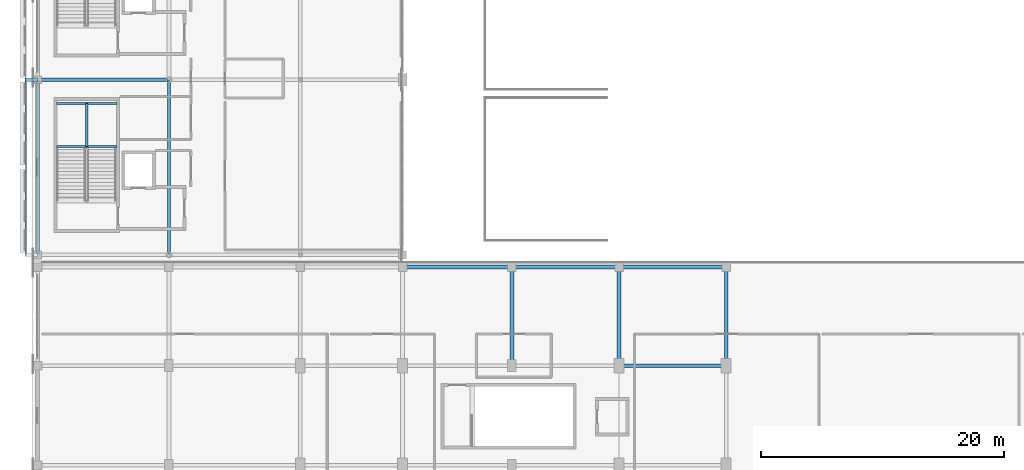
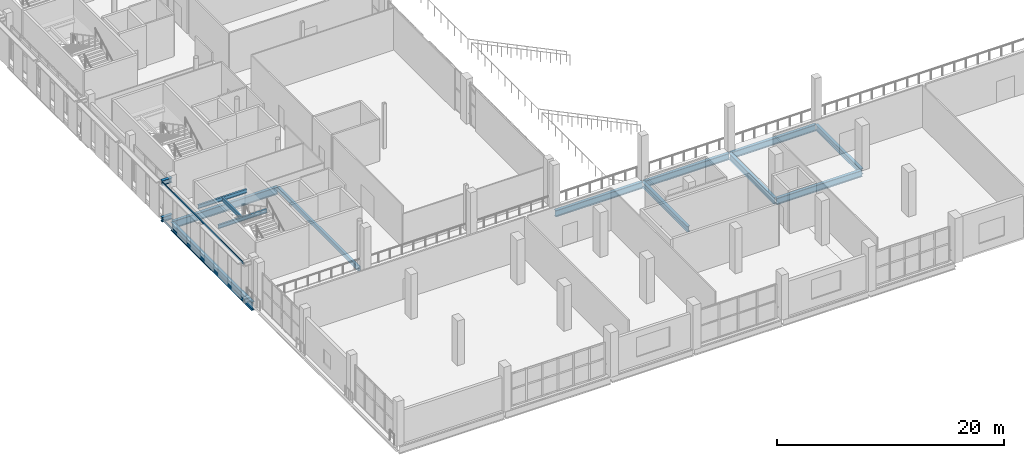
# One storey, part 16 of 104: 15 beams, 2 members.
"""IFC4 building model written with IfcOpenShell, lengths in metres."""

from ifc_helpers import new_model, si_unit, direction, frame, origin, origin_2d, place, context, subcontext, project, spatial, hollow_rectangle, i_section, extrude, material, material_profile, profile_set, type_object, element, save


model = new_model("IFC4")

# Units and contexts
model_context = context("Model", 3, precision=1e-05, world=origin(), true_north=direction((0.0, 1.0)))
body_context = subcontext(model_context, "Body", "Model", "MODEL_VIEW")
ifc_project = project(units=[si_unit("LENGTHUNIT", "METRE"), si_unit("AREAUNIT", "SQUARE_METRE"), si_unit("VOLUMEUNIT", "CUBIC_METRE"), si_unit("PLANEANGLEUNIT", "RADIAN"), si_unit("MASSUNIT", "GRAM", prefix="KILO")], contexts=[model_context])

# Site, building, storey
site_placement = place(None, origin())
site = spatial("IfcSite", under=ifc_project, at=site_placement, CompositionType="ELEMENT")
building_placement = place(site_placement, origin())
building = spatial("IfcBuilding", under=site, at=building_placement, Name="Koshinbarg Plaza Stadium", CompositionType="ELEMENT")
storey_placement = place(building_placement, frame((0.0, 0.0, 19.800048828125)))
storey = spatial("IfcBuildingStorey", under=building, at=storey_placement, Name="L04", CompositionType="ELEMENT", Elevation=19.800048828125)

# Beams
ifc_material = material(Name="Steel S355", Category="steel")
ifc_material_profile_1 = material_profile(ifc_material, i_section(OverallWidth=0.300048828125, OverallDepth=0.5, WebThickness=0.014404296875, FlangeThickness=0.028076171875, at=origin_2d()), Name="HEB 500")
ifc_profile_set_1 = profile_set([ifc_material_profile_1], Name="Steel S355")
beam_type_1 = type_object("IfcBeamType", Name="BM-CANOPY-CANT", PredefinedType="BEAM", material=ifc_profile_set_1)
for number, where, z_axis, x_axis, name in (
    (1, (24.60009765625, 39.89990234375, 0.25), (-1.0, 0.0, 0.0), (0.0, -1.0, 0.0), "Outer screen cantilever outrigger W-L04-Y02"),
    (2, (24.60009765625, 39.89990234375, 4.179931640625), (-1.0, 0.0, 0.0), (0.0, -1.0, 0.0), "Outer screen cantilever outrigger W-L04-Y02"),
):
    element("IfcBeam", number, at=place(storey_placement, frame(where, z_axis=z_axis, x_axis=x_axis)), inside=storey, type_object=beam_type_1, Name=name, PredefinedType="BEAM", context=body_context, shape_type="SweptSolid", body=[
        extrude(i_section(OverallWidth=0.300048828125, OverallDepth=0.5, WebThickness=0.014404296875, FlangeThickness=0.028076171875, at=origin_2d()), origin(), (0.0, 0.0, 1.0), 1.030029296875),
    ])
ifc_material_profile_2 = material_profile(ifc_material, i_section(OverallWidth=0.179931640625, OverallDepth=0.39990234375, WebThickness=0.008544921875, FlangeThickness=0.013427734375, at=origin_2d()), Name="IPE 400")
ifc_profile_set_2 = profile_set([ifc_material_profile_2], Name="Steel S355")
beam_type_2 = type_object("IfcBeamType", Name="BM-SBM-01", PredefinedType="BEAM", material=ifc_profile_set_2)
for number, where, z_axis, x_axis, name in (
    (3, (26.14990234375, 34.409912109375, 1.8798828125), (1.0, 0.0, 0.0), (0.0, 1.0, 0.0), "L04 Protected Exit Stair C01 landing trimmer beam 1"),
    (4, (26.14990234375, 37.949951171875, 1.8798828125), (1.0, 0.0, 0.0), (0.0, 1.0, 0.0), "L04 Protected Exit Stair C01 landing trimmer beam 2"),
):
    element("IfcBeam", number, at=place(storey_placement, frame(where, z_axis=z_axis, x_axis=x_axis)), inside=storey, type_object=beam_type_2, Name=name, PredefinedType="BEAM", context=body_context, shape_type="SweptSolid", body=[
        extrude(i_section(OverallWidth=0.179931640625, OverallDepth=0.39990234375, WebThickness=0.008544921875, FlangeThickness=0.013427734375, at=origin_2d()), origin(), (0.0, 0.0, 1.0), 4.97021484375),
    ])
beam_1_placement = place(storey_placement, frame((28.635009765625, 34.409912109375, 1.8798828125), z_axis=(0.0, 1.0, 0.0), x_axis=(-1.0, 0.0, 0.0)))
element("IfcBeam", 5, at=beam_1_placement, inside=storey, type_object=beam_type_2, Name="L04 Protected Exit Stair C01 landing trimmer beam 3", PredefinedType="BEAM", context=body_context, shape_type="SweptSolid", body=[
    extrude(i_section(OverallWidth=0.179931640625, OverallDepth=0.39990234375, WebThickness=0.008544921875, FlangeThickness=0.013427734375, at=origin_2d()), origin(), (0.0, 0.0, 1.0), 3.5400390625),
])
ifc_material_profile_3 = material_profile(ifc_material, i_section(OverallWidth=0.300048828125, OverallDepth=0.60009765625, WebThickness=0.015380859375, FlangeThickness=0.030029296875, at=origin_2d()), Name="HEB 600")
ifc_profile_set_3 = profile_set([ifc_material_profile_3], Name="Steel S355")
beam_type_3 = type_object("IfcBeamType", Name="BM-SGIR-02", PredefinedType="USERDEFINED", material=ifc_profile_set_3)
for number, where, z_axis, x_axis, name in (
    (6, (63.60009765625, 16.4599609375, -0.60009765625), (0.0, 1.0, 0.0), (-1.0, 0.0, 0.0), "L04 Y girder 9/C-D"),
    (7, (81.199951171875, 16.4599609375, -0.60009765625), (0.0, 1.0, 0.0), (-1.0, 0.0, 0.0), "L04 Y girder 11/C-D"),
):
    element("IfcBeam", number, at=place(storey_placement, frame(where, z_axis=z_axis, x_axis=x_axis)), inside=storey, type_object=beam_type_3, Name=name, ObjectType="GIRDER", PredefinedType="USERDEFINED", context=body_context, shape_type="SweptSolid", body=[
        extrude(i_section(OverallWidth=0.300048828125, OverallDepth=0.60009765625, WebThickness=0.015380859375, FlangeThickness=0.030029296875, at=origin_2d()), origin(), (0.0, 0.0, 1.0), 7.97998046875),
    ])
ifc_material_profile_4 = material_profile(ifc_material, i_section(OverallWidth=0.300048828125, OverallDepth=0.699951171875, WebThickness=0.01708984375, FlangeThickness=0.031982421875, at=origin_2d()), Name="HEB 700")
ifc_profile_set_4 = profile_set([ifc_material_profile_4], Name="Steel S355")
beam_type_4 = type_object("IfcBeamType", Name="BM-SGIR-03", PredefinedType="USERDEFINED", material=ifc_profile_set_4)
beam_2_placement = place(storey_placement, frame((72.4599609375, 16.39990234375, -0.650146484375), z_axis=(1.0, 0.0, 0.0), x_axis=(0.0, 1.0, 0.0)))
element("IfcBeam", 8, at=beam_2_placement, inside=storey, type_object=beam_type_4, Name="L04 X girder C/10-11", ObjectType="GIRDER", PredefinedType="USERDEFINED", context=body_context, shape_type="SweptSolid", body=[
    extrude(i_section(OverallWidth=0.300048828125, OverallDepth=0.699951171875, WebThickness=0.01708984375, FlangeThickness=0.031982421875, at=origin_2d()), origin(), (0.0, 0.0, 1.0), 8.679931640625),
])
beam_3_placement = place(storey_placement, frame((54.659912109375, 24.5, -0.650146484375), z_axis=(1.0, 0.0, 0.0), x_axis=(0.0, 1.0, 0.0)))
element("IfcBeam", 9, at=beam_3_placement, inside=storey, type_object=beam_type_4, Name="L04 X girder D/8-9", ObjectType="GIRDER", PredefinedType="USERDEFINED", context=body_context, shape_type="SweptSolid", body=[
    extrude(i_section(OverallWidth=0.300048828125, OverallDepth=0.699951171875, WebThickness=0.01708984375, FlangeThickness=0.031982421875, at=origin_2d()), origin(), (0.0, 0.0, 1.0), 8.880126953125),
])
beam_4_placement = place(storey_placement, frame((63.659912109375, 24.5, -0.650146484375), z_axis=(1.0, 0.0, 0.0), x_axis=(0.0, 1.0, 0.0)))
element("IfcBeam", 10, at=beam_4_placement, inside=storey, type_object=beam_type_4, Name="L04 X girder D/9-10", ObjectType="GIRDER", PredefinedType="USERDEFINED", context=body_context, shape_type="SweptSolid", body=[
    extrude(i_section(OverallWidth=0.300048828125, OverallDepth=0.699951171875, WebThickness=0.01708984375, FlangeThickness=0.031982421875, at=origin_2d()), origin(), (0.0, 0.0, 1.0), 8.68017578125),
])
beam_5_placement = place(storey_placement, frame((72.4599609375, 24.5, -0.650146484375), z_axis=(1.0, 0.0, 0.0), x_axis=(0.0, 1.0, 0.0)))
element("IfcBeam", 11, at=beam_5_placement, inside=storey, type_object=beam_type_4, Name="L04 X girder D/10-11", ObjectType="GIRDER", PredefinedType="USERDEFINED", context=body_context, shape_type="SweptSolid", body=[
    extrude(i_section(OverallWidth=0.300048828125, OverallDepth=0.699951171875, WebThickness=0.01708984375, FlangeThickness=0.031982421875, at=origin_2d()), origin(), (0.0, 0.0, 1.0), 8.679931640625),
])
beam_6_placement = place(storey_placement, frame((72.39990234375, 16.4599609375, -0.650146484375), z_axis=(0.0, 1.0, 0.0), x_axis=(-1.0, 0.0, 0.0)))
element("IfcBeam", 12, at=beam_6_placement, inside=storey, type_object=beam_type_4, Name="L04 Y girder 10/C-D", ObjectType="GIRDER", PredefinedType="USERDEFINED", context=body_context, shape_type="SweptSolid", body=[
    extrude(i_section(OverallWidth=0.300048828125, OverallDepth=0.699951171875, WebThickness=0.01708984375, FlangeThickness=0.031982421875, at=origin_2d()), origin(), (0.0, 0.0, 1.0), 7.97998046875),
])
ifc_material_profile_5 = material_profile(ifc_material, i_section(OverallWidth=0.300048828125, OverallDepth=0.800048828125, WebThickness=0.017578125, FlangeThickness=0.032958984375, at=origin_2d()), Name="HEB 800")
ifc_profile_set_5 = profile_set([ifc_material_profile_5], Name="Steel S355")
beam_type_5 = type_object("IfcBeamType", Name="BM-SGIR-04", PredefinedType="USERDEFINED", material=ifc_profile_set_5)
beam_7_placement = place(storey_placement, frame((24.659912109375, 39.89990234375, -0.699951171875), z_axis=(1.0, 0.0, 0.0), x_axis=(0.0, 1.0, 0.0)))
element("IfcBeam", 13, at=beam_7_placement, inside=storey, type_object=beam_type_5, Name="L04 X girder F/5-6", ObjectType="GIRDER", PredefinedType="USERDEFINED", context=body_context, shape_type="SweptSolid", body=[
    extrude(i_section(OverallWidth=0.300048828125, OverallDepth=0.800048828125, WebThickness=0.017578125, FlangeThickness=0.032958984375, at=origin_2d()), origin(), (0.0, 0.0, 1.0), 10.68017578125),
])
ifc_material_profile_6 = material_profile(ifc_material, i_section(OverallWidth=0.300048828125, OverallDepth=0.89990234375, WebThickness=0.0185546875, FlangeThickness=0.034912109375, at=origin_2d()), Name="HEB 900")
ifc_profile_set_6 = profile_set([ifc_material_profile_6], Name="Steel S355")
beam_type_6 = type_object("IfcBeamType", Name="BM-SGIR-05", PredefinedType="USERDEFINED", material=ifc_profile_set_6)
beam_8_placement = place(storey_placement, frame((24.60009765625, 25.56005859375, -0.75), z_axis=(0.0, 1.0, 0.0), x_axis=(-1.0, 0.0, 0.0)))
element("IfcBeam", 14, at=beam_8_placement, inside=storey, type_object=beam_type_6, Name="L04 Y girder 5/E-F", ObjectType="GIRDER", PredefinedType="USERDEFINED", context=body_context, shape_type="SweptSolid", body=[
    extrude(i_section(OverallWidth=0.300048828125, OverallDepth=0.89990234375, WebThickness=0.0185546875, FlangeThickness=0.034912109375, at=origin_2d()), origin(), (0.0, 0.0, 1.0), 14.280029296875),
])
ifc_material_profile_7 = material_profile(ifc_material, hollow_rectangle(XDim=0.25, YDim=0.449951171875, WallThickness=0.01611328125, at=origin_2d()), Name="RHS 450x250x16")
ifc_profile_set_7 = profile_set([ifc_material_profile_7], Name="Steel S355")
beam_type_7 = type_object("IfcBeamType", Name="BM-SGIR-06", PredefinedType="USERDEFINED", material=ifc_profile_set_7)
beam_9_placement = place(storey_placement, frame((35.39990234375, 25.56005859375, -0.525146484375), z_axis=(0.0, 1.0, 0.0), x_axis=(-1.0, 0.0, 0.0)))
element("IfcBeam", 15, at=beam_9_placement, inside=storey, type_object=beam_type_7, Name="L04 Y girder 6/E-F", ObjectType="GIRDER", PredefinedType="USERDEFINED", context=body_context, shape_type="SweptSolid", body=[
    extrude(hollow_rectangle(XDim=0.25, YDim=0.449951171875, WallThickness=0.01611328125, at=origin_2d()), origin(), (0.0, 0.0, 1.0), 14.280029296875),
])

# Members
ifc_material_profile_8 = material_profile(ifc_material, hollow_rectangle(XDim=0.10009765625, YDim=0.199951171875, WallThickness=0.008056640625, at=origin_2d()), Name="RHS 200x100x8")
ifc_profile_set_8 = profile_set([ifc_material_profile_8], Name="Steel S355")
member_type = type_object("IfcMemberType", Name="MB-PURL-03", PredefinedType="PURLIN", material=ifc_profile_set_8)
for number, where, z_axis, x_axis, name in (
    (16, (23.64990234375, 25.5, 0.25), (0.0, 1.0, 0.0), (-1.0, 0.0, 0.0), "L04 outer screen subframe rail W-1-BOT"),
    (17, (23.64990234375, 25.5, 4.179931640625), (0.0, 1.0, 0.0), (-1.0, 0.0, 0.0), "L04 outer screen subframe rail W-1-TOP"),
):
    element("IfcMember", number, at=place(storey_placement, frame(where, z_axis=z_axis, x_axis=x_axis)), inside=storey, type_object=member_type, Name=name, PredefinedType="PURLIN", context=body_context, shape_type="SweptSolid", body=[
        extrude(hollow_rectangle(XDim=0.10009765625, YDim=0.199951171875, WallThickness=0.008056640625, at=origin_2d()), origin(), (0.0, 0.0, 1.0), 14.39990234375),
    ])

save(model, "model.ifc")
